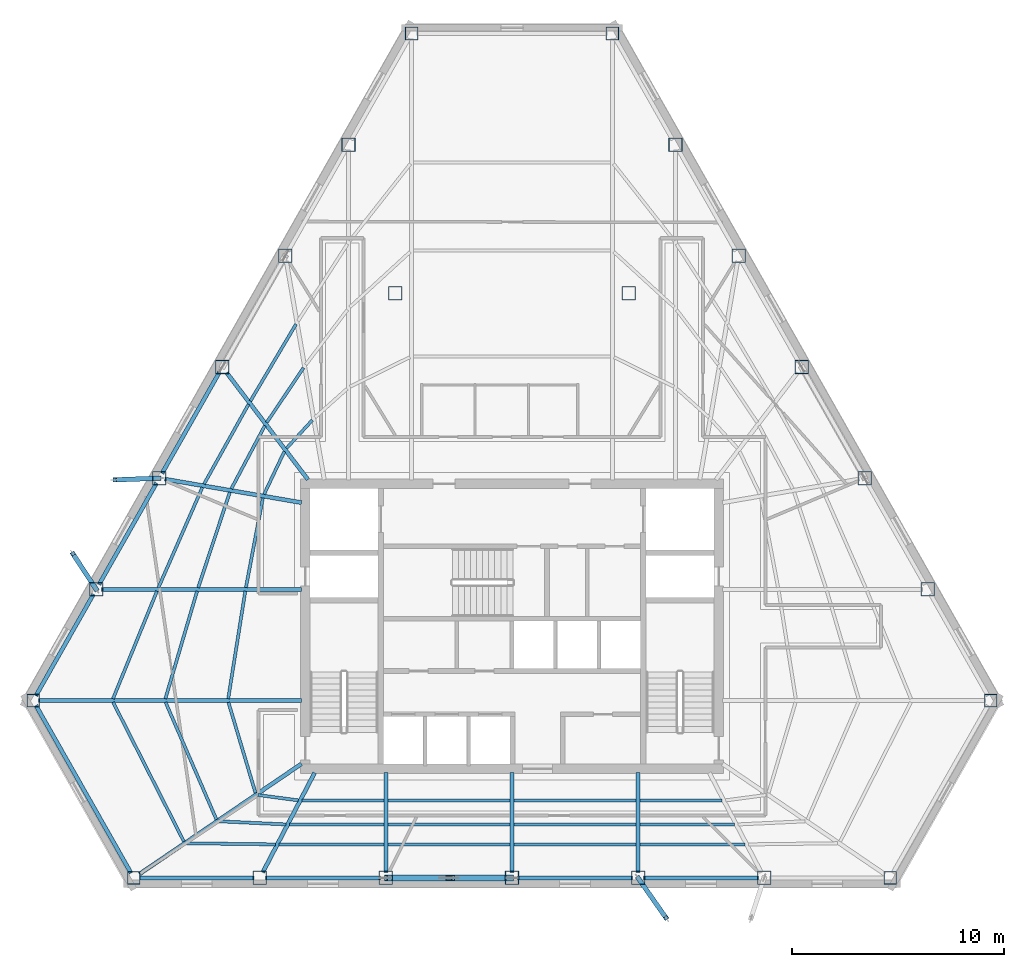
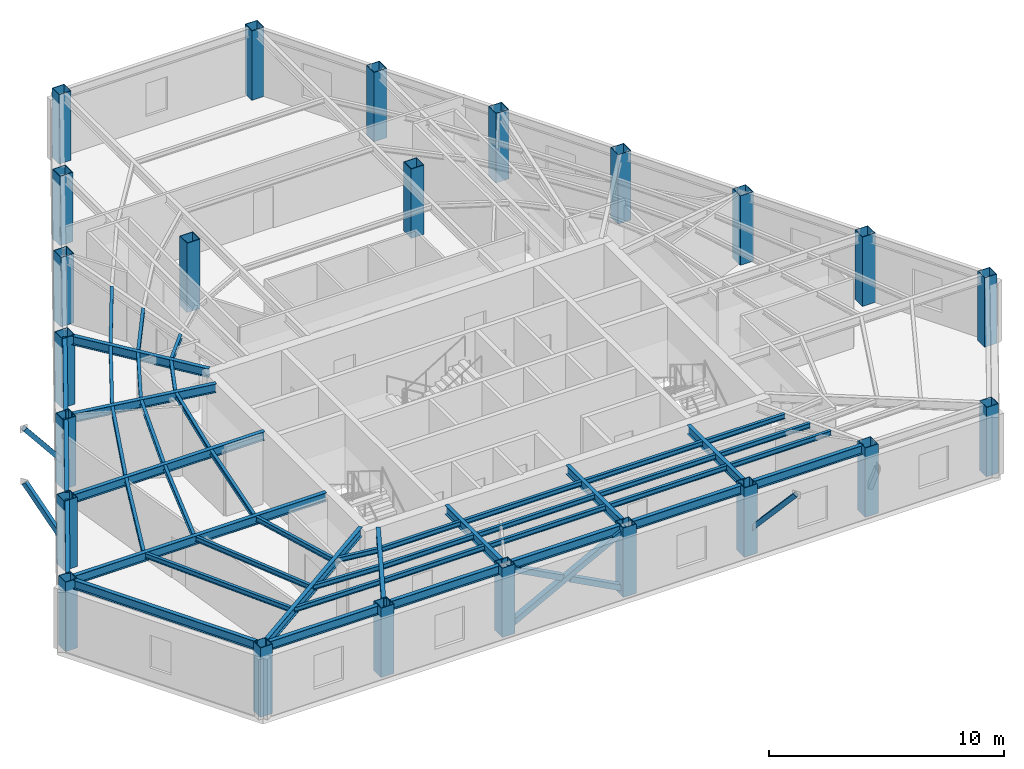
# One storey, part 1 of 11: 48 beams, 23 columns, 6 members.
"""IFC4 building model written with IfcOpenShell, lengths in metres."""

from ifc_helpers import new_model, si_unit, direction, frame, origin, origin_2d, place, context, subcontext, project, spatial, hollow_rectangle, i_section, extrude, material, material_profile, profile_set, type_object, element, save


model = new_model("IFC4")

# Units and contexts
model_context = context("Model", 3, precision=1e-05, world=origin(), true_north=direction((0.0, 1.0)))
body_context = subcontext(model_context, "Body", "Model", "MODEL_VIEW")
ifc_project = project(units=[si_unit("LENGTHUNIT", "METRE"), si_unit("AREAUNIT", "SQUARE_METRE"), si_unit("VOLUMEUNIT", "CUBIC_METRE"), si_unit("PLANEANGLEUNIT", "RADIAN"), si_unit("MASSUNIT", "GRAM", prefix="KILO")], contexts=[model_context])

# Site, building, storey
site_placement = place(None, origin())
site = spatial("IfcSite", under=ifc_project, at=site_placement, CompositionType="ELEMENT")
building_placement = place(site_placement, origin())
building = spatial("IfcBuilding", under=site, at=building_placement, Name="Kavelnor Concourse Tower", CompositionType="ELEMENT")
storey_placement = place(building_placement, frame((0.0, 0.0, 165.0)))
storey = spatial("IfcBuildingStorey", under=building, at=storey_placement, Name="L41", CompositionType="ELEMENT", Elevation=165.0)

# Columns
ifc_material = material(Name="Steel Grade 350", Category="steel")
ifc_material_profile_1 = material_profile(ifc_material, hollow_rectangle(XDim=0.60009765625, YDim=0.60009765625, WallThickness=0.028076171875, at=origin_2d()), Name="SHS 600x600x28")
ifc_profile_set_1 = profile_set([ifc_material_profile_1], Name="Steel Grade 350")
column_type_1 = type_object("IfcColumnType", Name="COL-FOLD-Z3", PredefinedType="COLUMN", material=ifc_profile_set_1)
for number, where, z_axis, x_axis, name in (
    (1, (33.264892578125, 44.034912109375, 0.0), (0.0, 0.0, 1.0), (1.0, 0.0, 0.0), "L41 Perimeter Corner-Fold Column F0-B0"),
    (2, (15.431884765625, 12.5966796875, 0.0), (0.0, 0.0, 1.0), (1.0, 0.0, 0.0), "L41 Perimeter Corner-Fold Column F0-B6"),
    (3, (20.174072265625, 4.236572265625, 0.0), (0.0, 0.0, 1.0), (1.0, 0.0, 0.0), "L41 Perimeter Corner-Fold Column F1-B0"),
    (4, (55.825927734375, 4.236572265625, 0.0), (0.0, 0.0, 1.0), (1.0, 0.0, 0.0), "L41 Perimeter Corner-Fold Column F1-B6"),
    (5, (60.568115234375, 12.5966796875, 0.0), (0.0, 0.0, 1.0), (1.0, 0.0, 0.0), "L41 Perimeter Corner-Fold Column F2-B0"),
    (6, (42.735107421875, 44.034912109375, 0.0), (0.0, 0.0, 1.0), (1.0, 0.0, 0.0), "L41 Perimeter Corner-Fold Column F2-B6"),
):
    element("IfcColumn", number, at=place(storey_placement, frame(where, z_axis=z_axis, x_axis=x_axis)), inside=storey, type_object=column_type_1, Name=name, PredefinedType="COLUMN", context=body_context, shape_type="SweptSolid", body=[
        extrude(hollow_rectangle(XDim=0.60009765625, YDim=0.60009765625, WallThickness=0.028076171875, at=origin_2d()), origin(), (0.0, 0.0, 1.0), 3.60009765625),
    ])
ifc_material_profile_2 = material_profile(ifc_material, hollow_rectangle(XDim=0.639892578125, YDim=0.639892578125, WallThickness=0.028076171875, at=origin_2d()), Name="SHS 640x640x28")
ifc_profile_set_2 = profile_set([ifc_material_profile_2], Name="Steel Grade 350")
column_type_2 = type_object("IfcColumnType", Name="COL-TUBE-Z3", PredefinedType="COLUMN", material=ifc_profile_set_2)
for number, where, z_axis, x_axis, name in (
    (7, (30.292724609375, 38.79541015625, 0.0), (0.0, 0.0, 1.0), (1.0, 0.0, 0.0), "L41 Perimeter Framed-Tube Column F0-B1"),
    (8, (27.320556640625, 33.5556640625, 0.0), (0.0, 0.0, 1.0), (1.0, 0.0, 0.0), "L41 Perimeter Framed-Tube Column F0-B2"),
    (9, (24.348388671875, 28.31591796875, 0.0), (0.0, 0.0, 1.0), (1.0, 0.0, 0.0), "L41 Perimeter Framed-Tube Column F0-B3"),
    (10, (21.376220703125, 23.076171875, 0.0), (0.0, 0.0, 1.0), (1.0, 0.0, 0.0), "L41 Perimeter Framed-Tube Column F0-B4"),
    (11, (18.404052734375, 17.83642578125, 0.0), (0.0, 0.0, 1.0), (1.0, 0.0, 0.0), "L41 Perimeter Framed-Tube Column F0-B5"),
    (12, (26.1162109375, 4.236572265625, 0.0), (0.0, 0.0, 1.0), (1.0, 0.0, 0.0), "L41 Perimeter Framed-Tube Column F1-B1"),
    (13, (32.05810546875, 4.236572265625, 0.0), (0.0, 0.0, 1.0), (1.0, 0.0, 0.0), "L41 Perimeter Framed-Tube Column F1-B2"),
    (14, (38.0, 4.236572265625, 0.0), (0.0, 0.0, 1.0), (1.0, 0.0, 0.0), "L41 Perimeter Framed-Tube Column F1-B3"),
    (15, (43.94189453125, 4.236572265625, 0.0), (0.0, 0.0, 1.0), (1.0, 0.0, 0.0), "L41 Perimeter Framed-Tube Column F1-B4"),
    (16, (49.8837890625, 4.236572265625, 0.0), (0.0, 0.0, 1.0), (1.0, 0.0, 0.0), "L41 Perimeter Framed-Tube Column F1-B5"),
    (17, (57.595947265625, 17.83642578125, 0.0), (0.0, 0.0, 1.0), (1.0, 0.0, 0.0), "L41 Perimeter Framed-Tube Column F2-B1"),
    (18, (54.623779296875, 23.076171875, 0.0), (0.0, 0.0, 1.0), (1.0, 0.0, 0.0), "L41 Perimeter Framed-Tube Column F2-B2"),
    (19, (51.651611328125, 28.31591796875, 0.0), (0.0, 0.0, 1.0), (1.0, 0.0, 0.0), "L41 Perimeter Framed-Tube Column F2-B3"),
    (20, (48.679443359375, 33.5556640625, 0.0), (0.0, 0.0, 1.0), (1.0, 0.0, 0.0), "L41 Perimeter Framed-Tube Column F2-B4"),
    (21, (45.707275390625, 38.79541015625, 0.0), (0.0, 0.0, 1.0), (1.0, 0.0, 0.0), "L41 Perimeter Framed-Tube Column F2-B5"),
    (22, (32.5, 31.800048828125, 0.0), (0.0, 0.0, 1.0), (1.0, 0.0, 0.0), "L41 North Interior Gravity Column BC-NW"),
    (23, (43.5, 31.800048828125, 0.0), (0.0, 0.0, 1.0), (1.0, 0.0, 0.0), "L41 North Interior Gravity Column BC-NE"),
):
    element("IfcColumn", number, at=place(storey_placement, frame(where, z_axis=z_axis, x_axis=x_axis)), inside=storey, type_object=column_type_2, Name=name, PredefinedType="COLUMN", context=body_context, shape_type="SweptSolid", body=[
        extrude(hollow_rectangle(XDim=0.639892578125, YDim=0.639892578125, WallThickness=0.028076171875, at=origin_2d()), origin(), (0.0, 0.0, 1.0), 3.60009765625),
    ])

# Beams
ifc_material_profile_3 = material_profile(ifc_material, i_section(OverallWidth=0.14599609375, OverallDepth=0.256103515625, WebThickness=0.00634765625, FlangeThickness=0.010986328125, at=origin_2d()), Name="250UB37")
ifc_profile_set_3 = profile_set([ifc_material_profile_3], Name="Steel Grade 350")
beam_type_1 = type_object("IfcBeamType", Name="BM-JOIST-250", PredefinedType="JOIST", material=ifc_profile_set_3)
beam_1_placement = place(storey_placement, frame((24.63671875, 12.511474609375, 3.471923828125), z_axis=(0.285934895929, -0.95824904659, 0.0), x_axis=(0.95824904659, 0.285934895929, 0.0)))
element("IfcBeam", 24, at=beam_1_placement, inside=storey, type_object=beam_type_1, Name="L41 Secondary Composite Joist 01-1", PredefinedType="JOIST", context=body_context, shape_type="SweptSolid", body=[
    extrude(i_section(OverallWidth=0.14599609375, OverallDepth=0.256103515625, WebThickness=0.00634765625, FlangeThickness=0.010986328125, at=origin_2d()), origin(), (0.0, 0.0, 1.0), 4.455322265625),
])
beam_2_placement = place(storey_placement, frame((21.673583984375, 12.514892578125, 3.471923828125), z_axis=(0.397934059699, -0.917414020021, 0.0), x_axis=(0.917414020021, 0.397934059699, 0.0)))
element("IfcBeam", 25, at=beam_2_placement, inside=storey, type_object=beam_type_1, Name="L41 Secondary Composite Joist 01-2", PredefinedType="JOIST", context=body_context, shape_type="SweptSolid", body=[
    extrude(i_section(OverallWidth=0.14599609375, OverallDepth=0.256103515625, WebThickness=0.00634765625, FlangeThickness=0.010986328125, at=origin_2d()), origin(), (0.0, 0.0, 1.0), 6.019775390625),
])
beam_3_placement = place(storey_placement, frame((19.20068359375, 12.517333984375, 3.471923828125), z_axis=(0.453064531661, -0.891477722745, 0.0), x_axis=(0.891477722745, 0.453064531661, 0.0)))
element("IfcBeam", 26, at=beam_3_placement, inside=storey, type_object=beam_type_1, Name="L41 Secondary Composite Joist 01-3", PredefinedType="JOIST", context=body_context, shape_type="SweptSolid", body=[
    extrude(i_section(OverallWidth=0.14599609375, OverallDepth=0.256103515625, WebThickness=0.00634765625, FlangeThickness=0.010986328125, at=origin_2d()), origin(), (0.0, 0.0, 1.0), 7.365234375),
])
beam_4_placement = place(storey_placement, frame((26.0244140625, 8.14501953125, 3.471923828125), z_axis=(0.991312131722, -0.131530443244, 0.0), x_axis=(0.131530443244, 0.991312131722, 0.0)))
element("IfcBeam", 27, at=beam_4_placement, inside=storey, type_object=beam_type_1, Name="L41 Secondary Composite Joist 02-1", PredefinedType="JOIST", context=body_context, shape_type="SweptSolid", body=[
    extrude(i_section(OverallWidth=0.14599609375, OverallDepth=0.256103515625, WebThickness=0.00634765625, FlangeThickness=0.010986328125, at=origin_2d()), origin(), (0.0, 0.0, 1.0), 1.919189453125),
])
beam_5_placement = place(storey_placement, frame((24.193359375, 6.906494140625, 3.471923828125), z_axis=(0.998895853612, -0.046979502312, 0.0), x_axis=(0.046979502312, 0.998895853612, 0.0)))
element("IfcBeam", 28, at=beam_5_placement, inside=storey, type_object=beam_type_1, Name="L41 Secondary Composite Joist 02-2", PredefinedType="JOIST", context=body_context, shape_type="SweptSolid", body=[
    extrude(i_section(OverallWidth=0.14599609375, OverallDepth=0.256103515625, WebThickness=0.00634765625, FlangeThickness=0.010986328125, at=origin_2d()), origin(), (0.0, 0.0, 1.0), 3.149169921875),
])
beam_6_placement = place(storey_placement, frame((22.6669921875, 5.870849609375, 3.471923828125), z_axis=(0.999916062807, -0.012956362922, 0.0), x_axis=(0.012956362922, 0.999916062807, 0.0)))
element("IfcBeam", 29, at=beam_6_placement, inside=storey, type_object=beam_type_1, Name="L41 Secondary Composite Joist 02-3", PredefinedType="JOIST", context=body_context, shape_type="SweptSolid", body=[
    extrude(i_section(OverallWidth=0.14599609375, OverallDepth=0.256103515625, WebThickness=0.00634765625, FlangeThickness=0.010986328125, at=origin_2d()), origin(), (0.0, 0.0, 1.0), 4.18310546875),
])
beam_7_placement = place(storey_placement, frame((28.104248046875, 7.881103515625, 3.471923828125), z_axis=(0.999999872301, 0.000505369487, 0.0), x_axis=(-0.000505369487, 0.999999872301, 0.0)))
element("IfcBeam", 30, at=beam_7_placement, inside=storey, type_object=beam_type_1, Name="L41 Secondary Composite Joist 03-1", PredefinedType="JOIST", context=body_context, shape_type="SweptSolid", body=[
    extrude(i_section(OverallWidth=0.14599609375, OverallDepth=0.256103515625, WebThickness=0.00634765625, FlangeThickness=0.010986328125, at=origin_2d()), origin(), (0.0, 0.0, 1.0), 3.86474609375),
])
beam_8_placement = place(storey_placement, frame((27.51708984375, 6.75439453125, 3.471923828125), z_axis=(0.999999998496, -5.4839594e-05, 0.0), x_axis=(5.4839594e-05, 0.999999998496, 0.0)))
element("IfcBeam", 31, at=beam_8_placement, inside=storey, type_object=beam_type_1, Name="L41 Secondary Composite Joist 03-2", PredefinedType="JOIST", context=body_context, shape_type="SweptSolid", body=[
    extrude(i_section(OverallWidth=0.14599609375, OverallDepth=0.256103515625, WebThickness=0.00634765625, FlangeThickness=0.010986328125, at=origin_2d()), origin(), (0.0, 0.0, 1.0), 4.451904296875),
])
beam_9_placement = place(storey_placement, frame((27.02783203125, 5.8154296875, 3.471923828125), z_axis=(0.999999921878, -0.000395276416, 0.0), x_axis=(0.000395276416, 0.999999921878, 0.0)))
element("IfcBeam", 32, at=beam_9_placement, inside=storey, type_object=beam_type_1, Name="L41 Secondary Composite Joist 03-3", PredefinedType="JOIST", context=body_context, shape_type="SweptSolid", body=[
    extrude(i_section(OverallWidth=0.14599609375, OverallDepth=0.256103515625, WebThickness=0.00634765625, FlangeThickness=0.010986328125, at=origin_2d()), origin(), (0.0, 0.0, 1.0), 4.941162109375),
])
for number, where, z_axis, x_axis, name in (
    (33, (32.14697265625, 7.883056640625, 3.471923828125), (1.0, 0.0, 0.0), (0.0, 1.0, 0.0), "L41 Secondary Composite Joist 04-1"),
    (34, (32.14697265625, 6.754150390625, 3.471923828125), (1.0, 0.0, 0.0), (0.0, 1.0, 0.0), "L41 Secondary Composite Joist 04-2"),
    (35, (32.14697265625, 5.8134765625, 3.471923828125), (1.0, 0.0, 0.0), (0.0, 1.0, 0.0), "L41 Secondary Composite Joist 04-3"),
    (36, (38.089111328125, 7.883056640625, 3.471923828125), (1.0, 0.0, 0.0), (0.0, 1.0, 0.0), "L41 Secondary Composite Joist 05-1"),
    (37, (38.089111328125, 6.754150390625, 3.471923828125), (1.0, 0.0, 0.0), (0.0, 1.0, 0.0), "L41 Secondary Composite Joist 05-2"),
    (38, (38.089111328125, 5.8134765625, 3.471923828125), (1.0, 0.0, 0.0), (0.0, 1.0, 0.0), "L41 Secondary Composite Joist 05-3"),
):
    element("IfcBeam", number, at=place(storey_placement, frame(where, z_axis=z_axis, x_axis=x_axis)), inside=storey, type_object=beam_type_1, Name=name, PredefinedType="JOIST", context=body_context, shape_type="SweptSolid", body=[
        extrude(i_section(OverallWidth=0.14599609375, OverallDepth=0.256103515625, WebThickness=0.00634765625, FlangeThickness=0.010986328125, at=origin_2d()), origin(), (0.0, 0.0, 1.0), 5.763916015625),
    ])
beam_10_placement = place(storey_placement, frame((44.031005859375, 7.883056640625, 3.471923828125), z_axis=(0.999999872301, -0.000505369487, 0.0), x_axis=(0.000505369487, 0.999999872301, 0.0)))
element("IfcBeam", 39, at=beam_10_placement, inside=storey, type_object=beam_type_1, Name="L41 Secondary Composite Joist 06-1", PredefinedType="JOIST", context=body_context, shape_type="SweptSolid", body=[
    extrude(i_section(OverallWidth=0.14599609375, OverallDepth=0.256103515625, WebThickness=0.00634765625, FlangeThickness=0.010986328125, at=origin_2d()), origin(), (0.0, 0.0, 1.0), 3.86474609375),
])
beam_11_placement = place(storey_placement, frame((44.031005859375, 6.754150390625, 3.471923828125), z_axis=(0.999999998496, 5.4839594e-05, 0.0), x_axis=(-5.4839594e-05, 0.999999998496, 0.0)))
element("IfcBeam", 40, at=beam_11_placement, inside=storey, type_object=beam_type_1, Name="L41 Secondary Composite Joist 06-2", PredefinedType="JOIST", context=body_context, shape_type="SweptSolid", body=[
    extrude(i_section(OverallWidth=0.14599609375, OverallDepth=0.256103515625, WebThickness=0.00634765625, FlangeThickness=0.010986328125, at=origin_2d()), origin(), (0.0, 0.0, 1.0), 4.451904296875),
])
beam_12_placement = place(storey_placement, frame((44.031005859375, 5.8134765625, 3.471923828125), z_axis=(0.999999921878, 0.000395276416, 0.0), x_axis=(-0.000395276416, 0.999999921878, 0.0)))
element("IfcBeam", 41, at=beam_12_placement, inside=storey, type_object=beam_type_1, Name="L41 Secondary Composite Joist 06-3", PredefinedType="JOIST", context=body_context, shape_type="SweptSolid", body=[
    extrude(i_section(OverallWidth=0.14599609375, OverallDepth=0.256103515625, WebThickness=0.00634765625, FlangeThickness=0.010986328125, at=origin_2d()), origin(), (0.0, 0.0, 1.0), 4.941162109375),
])
beam_13_placement = place(storey_placement, frame((28.59326171875, 25.8173828125, 3.471923828125), z_axis=(-0.675638992286, -0.737232630927, 0.0), x_axis=(0.737232630927, -0.675638992286, 0.0)))
element("IfcBeam", 42, at=beam_13_placement, inside=storey, type_object=beam_type_1, Name="L41 Secondary Composite Joist 18-1", PredefinedType="JOIST", context=body_context, shape_type="SweptSolid", body=[
    extrude(i_section(OverallWidth=0.14599609375, OverallDepth=0.256103515625, WebThickness=0.00634765625, FlangeThickness=0.010986328125, at=origin_2d()), origin(), (0.0, 0.0, 1.0), 1.807373046875),
])
beam_14_placement = place(storey_placement, frame((28.174560546875, 28.27978515625, 3.471923828125), z_axis=(-0.557961189632, -0.829867044089, 0.0), x_axis=(0.829867044089, -0.557961189632, 0.0)))
element("IfcBeam", 43, at=beam_14_placement, inside=storey, type_object=beam_type_1, Name="L41 Secondary Composite Joist 18-2", PredefinedType="JOIST", context=body_context, shape_type="SweptSolid", body=[
    extrude(i_section(OverallWidth=0.14599609375, OverallDepth=0.256103515625, WebThickness=0.00634765625, FlangeThickness=0.010986328125, at=origin_2d()), origin(), (0.0, 0.0, 1.0), 3.105712890625),
])
beam_15_placement = place(storey_placement, frame((27.8212890625, 30.3359375, 3.471923828125), z_axis=(-0.510424941442, -0.859922309952, 0.0), x_axis=(0.859922309952, -0.510424941442, 0.0)))
element("IfcBeam", 44, at=beam_15_placement, inside=storey, type_object=beam_type_1, Name="L41 Secondary Composite Joist 18-3", PredefinedType="JOIST", context=body_context, shape_type="SweptSolid", body=[
    extrude(i_section(OverallWidth=0.14599609375, OverallDepth=0.256103515625, WebThickness=0.00634765625, FlangeThickness=0.010986328125, at=origin_2d()), origin(), (0.0, 0.0, 1.0), 4.212890625),
])
beam_16_placement = place(storey_placement, frame((27.273681640625, 24.3388671875, 3.471923828125), z_axis=(-0.428418856414, -0.903580258455, 0.0), x_axis=(0.903580258455, -0.428418856414, 0.0)))
element("IfcBeam", 45, at=beam_16_placement, inside=storey, type_object=beam_type_1, Name="L41 Secondary Composite Joist 19-1", PredefinedType="JOIST", context=body_context, shape_type="SweptSolid", body=[
    extrude(i_section(OverallWidth=0.14599609375, OverallDepth=0.256103515625, WebThickness=0.00634765625, FlangeThickness=0.010986328125, at=origin_2d()), origin(), (0.0, 0.0, 1.0), 2.24072265625),
])
beam_17_placement = place(storey_placement, frame((26.350341796875, 25.550048828125, 3.471923828125), z_axis=(-0.469273675568, -0.883052782918, 0.0), x_axis=(0.883052782918, -0.469273675568, 0.0)))
element("IfcBeam", 46, at=beam_17_placement, inside=storey, type_object=beam_type_1, Name="L41 Secondary Composite Joist 19-2", PredefinedType="JOIST", context=body_context, shape_type="SweptSolid", body=[
    extrude(i_section(OverallWidth=0.14599609375, OverallDepth=0.256103515625, WebThickness=0.00634765625, FlangeThickness=0.010986328125, at=origin_2d()), origin(), (0.0, 0.0, 1.0), 3.365478515625),
])
beam_18_placement = place(storey_placement, frame((25.58203125, 26.558837890625, 3.471923828125), z_axis=(-0.487240474477, -0.873267839802, 0.0), x_axis=(0.873267839802, -0.487240474477, 0.0)))
element("IfcBeam", 47, at=beam_18_placement, inside=storey, type_object=beam_type_1, Name="L41 Secondary Composite Joist 19-3", PredefinedType="JOIST", context=body_context, shape_type="SweptSolid", body=[
    extrude(i_section(OverallWidth=0.14599609375, OverallDepth=0.256103515625, WebThickness=0.00634765625, FlangeThickness=0.010986328125, at=origin_2d()), origin(), (0.0, 0.0, 1.0), 4.3056640625),
])
beam_19_placement = place(storey_placement, frame((26.2587890625, 22.146240234375, 3.471923828125), z_axis=(-0.185835335583, -0.982580901529, 0.0), x_axis=(0.982580901529, -0.185835335583, 0.0)))
element("IfcBeam", 48, at=beam_19_placement, inside=storey, type_object=beam_type_1, Name="L41 Secondary Composite Joist 20-1", PredefinedType="JOIST", context=body_context, shape_type="SweptSolid", body=[
    extrude(i_section(OverallWidth=0.14599609375, OverallDepth=0.256103515625, WebThickness=0.00634765625, FlangeThickness=0.010986328125, at=origin_2d()), origin(), (0.0, 0.0, 1.0), 4.29736328125),
])
beam_20_placement = place(storey_placement, frame((24.701171875, 22.4150390625, 3.471923828125), z_axis=(-0.314602979618, -0.949223348436, 0.0), x_axis=(0.949223348436, -0.314602979618, 0.0)))
element("IfcBeam", 49, at=beam_20_placement, inside=storey, type_object=beam_type_1, Name="L41 Secondary Composite Joist 20-2", PredefinedType="JOIST", context=body_context, shape_type="SweptSolid", body=[
    extrude(i_section(OverallWidth=0.14599609375, OverallDepth=0.256103515625, WebThickness=0.00634765625, FlangeThickness=0.010986328125, at=origin_2d()), origin(), (0.0, 0.0, 1.0), 4.734619140625),
])
beam_21_placement = place(storey_placement, frame((23.405029296875, 22.6396484375, 3.471923828125), z_axis=(-0.401325598485, -0.915935458425, 0.0), x_axis=(0.915935458425, -0.401325598485, 0.0)))
element("IfcBeam", 50, at=beam_21_placement, inside=storey, type_object=beam_type_1, Name="L41 Secondary Composite Joist 20-3", PredefinedType="JOIST", context=body_context, shape_type="SweptSolid", body=[
    extrude(i_section(OverallWidth=0.14599609375, OverallDepth=0.256103515625, WebThickness=0.00634765625, FlangeThickness=0.010986328125, at=origin_2d()), origin(), (0.0, 0.0, 1.0), 5.155029296875),
])
beam_22_placement = place(storey_placement, frame((25.4296875, 17.74853515625, 3.471923828125), z_axis=(-0.156889182444, -0.987616213127, 0.0), x_axis=(0.987616213127, -0.156889182444, 0.0)))
element("IfcBeam", 51, at=beam_22_placement, inside=storey, type_object=beam_type_1, Name="L41 Secondary Composite Joist 21-1", PredefinedType="JOIST", context=body_context, shape_type="SweptSolid", body=[
    extrude(i_section(OverallWidth=0.14599609375, OverallDepth=0.256103515625, WebThickness=0.00634765625, FlangeThickness=0.010986328125, at=origin_2d()), origin(), (0.0, 0.0, 1.0), 5.12744140625),
])
beam_23_placement = place(storey_placement, frame((23.158447265625, 17.7509765625, 3.471923828125), z_axis=(-0.28291157307, -0.959145996094, 0.0), x_axis=(0.959145996094, -0.28291157307, 0.0)))
element("IfcBeam", 52, at=beam_23_placement, inside=storey, type_object=beam_type_1, Name="L41 Secondary Composite Joist 21-2", PredefinedType="JOIST", context=body_context, shape_type="SweptSolid", body=[
    extrude(i_section(OverallWidth=0.14599609375, OverallDepth=0.256103515625, WebThickness=0.00634765625, FlangeThickness=0.010986328125, at=origin_2d()), origin(), (0.0, 0.0, 1.0), 5.28466796875),
])
beam_24_placement = place(storey_placement, frame((21.266845703125, 17.75390625, 3.471923828125), z_axis=(-0.378122933026, -0.925755392919, 0.0), x_axis=(0.925755392919, -0.378122933026, 0.0)))
element("IfcBeam", 53, at=beam_24_placement, inside=storey, type_object=beam_type_1, Name="L41 Secondary Composite Joist 21-3", PredefinedType="JOIST", context=body_context, shape_type="SweptSolid", body=[
    extrude(i_section(OverallWidth=0.14599609375, OverallDepth=0.256103515625, WebThickness=0.00634765625, FlangeThickness=0.010986328125, at=origin_2d()), origin(), (0.0, 0.0, 1.0), 5.481689453125),
])
ifc_material_profile_4 = material_profile(ifc_material, i_section(OverallWidth=0.18994140625, OverallDepth=0.4541015625, WebThickness=0.008544921875, FlangeThickness=0.0126953125, at=origin_2d()), Name="460UB67")
ifc_profile_set_4 = profile_set([ifc_material_profile_4], Name="Steel Grade 350")
beam_type_2 = type_object("IfcBeamType", Name="BM-PRIMARY-460", PredefinedType="BEAM", material=ifc_profile_set_4)
beam_25_placement = place(storey_placement, frame((28.385009765625, 23.00830078125, 3.373046875), z_axis=(-0.605372632271, 0.795942193942, 0.0), x_axis=(-0.795942193942, -0.605372632271, 0.0)))
element("IfcBeam", 54, at=beam_25_placement, inside=storey, type_object=beam_type_2, Name="L41 Primary Floor Girder F0-B3", PredefinedType="BEAM", context=body_context, shape_type="SweptSolid", body=[
    extrude(i_section(OverallWidth=0.18994140625, OverallDepth=0.4541015625, WebThickness=0.008544921875, FlangeThickness=0.0126953125, at=origin_2d()), origin(), (0.0, 0.0, 1.0), 6.331298828125),
])
beam_26_placement = place(storey_placement, frame((28.079345703125, 21.923583984375, 3.373046875), z_axis=(-0.985540219241, 0.169441660339, 0.0), x_axis=(-0.169441660339, -0.985540219241, 0.0)))
element("IfcBeam", 55, at=beam_26_placement, inside=storey, type_object=beam_type_2, Name="L41 Primary Floor Girder F0-B4", PredefinedType="BEAM", context=body_context, shape_type="SweptSolid", body=[
    extrude(i_section(OverallWidth=0.18994140625, OverallDepth=0.4541015625, WebThickness=0.008544921875, FlangeThickness=0.0126953125, at=origin_2d()), origin(), (0.0, 0.0, 1.0), 6.537109375),
])
beam_27_placement = place(storey_placement, frame((28.080078125, 17.83642578125, 3.373046875), z_axis=(-1.0, 0.0, 0.0), x_axis=(0.0, -1.0, 0.0)))
element("IfcBeam", 56, at=beam_27_placement, inside=storey, type_object=beam_type_2, Name="L41 Primary Floor Girder F0-B5", PredefinedType="BEAM", context=body_context, shape_type="SweptSolid", body=[
    extrude(i_section(OverallWidth=0.18994140625, OverallDepth=0.4541015625, WebThickness=0.008544921875, FlangeThickness=0.0126953125, at=origin_2d()), origin(), (0.0, 0.0, 1.0), 9.416015625),
])
beam_28_placement = place(storey_placement, frame((28.080078125, 12.5966796875, 3.373046875), z_axis=(-1.0, 0.0, 0.0), x_axis=(0.0, -1.0, 0.0)))
element("IfcBeam", 57, at=beam_28_placement, inside=storey, type_object=beam_type_2, Name="L41 Primary Floor Girder F0-B6", PredefinedType="BEAM", context=body_context, shape_type="SweptSolid", body=[
    extrude(i_section(OverallWidth=0.18994140625, OverallDepth=0.4541015625, WebThickness=0.008544921875, FlangeThickness=0.0126953125, at=origin_2d()), origin(), (0.0, 0.0, 1.0), 12.38818359375),
])
beam_29_placement = place(storey_placement, frame((28.072998046875, 9.61083984375, 3.373046875), z_axis=(-0.826784803561, -0.562518345124, 0.0), x_axis=(0.562518345124, -0.826784803561, 0.0)))
element("IfcBeam", 58, at=beam_29_placement, inside=storey, type_object=beam_type_2, Name="L41 Primary Floor Girder F1-B0", PredefinedType="BEAM", context=body_context, shape_type="SweptSolid", body=[
    extrude(i_section(OverallWidth=0.18994140625, OverallDepth=0.4541015625, WebThickness=0.008544921875, FlangeThickness=0.0126953125, at=origin_2d()), origin(), (0.0, 0.0, 1.0), 9.23095703125),
])
beam_30_placement = place(storey_placement, frame((28.7001953125, 9.195556640625, 3.373046875), z_axis=(-0.462112020334, -0.886821560779, 0.0), x_axis=(0.886821560779, -0.462112020334, 0.0)))
element("IfcBeam", 59, at=beam_30_placement, inside=storey, type_object=beam_type_2, Name="L41 Primary Floor Girder F1-B1", PredefinedType="BEAM", context=body_context, shape_type="SweptSolid", body=[
    extrude(i_section(OverallWidth=0.18994140625, OverallDepth=0.4541015625, WebThickness=0.008544921875, FlangeThickness=0.0126953125, at=origin_2d()), origin(), (0.0, 0.0, 1.0), 5.293701171875),
])
for number, where, z_axis, x_axis, name in (
    (60, (32.05810546875, 9.199951171875, 3.373046875), (0.0, -1.0, 0.0), (1.0, 0.0, 0.0), "L41 Primary Floor Girder F1-B2"),
    (61, (38.0, 9.199951171875, 3.373046875), (0.0, -1.0, 0.0), (1.0, 0.0, 0.0), "L41 Primary Floor Girder F1-B3"),
    (62, (43.94189453125, 9.199951171875, 3.373046875), (0.0, -1.0, 0.0), (1.0, 0.0, 0.0), "L41 Primary Floor Girder F1-B4"),
):
    element("IfcBeam", number, at=place(storey_placement, frame(where, z_axis=z_axis, x_axis=x_axis)), inside=storey, type_object=beam_type_2, Name=name, PredefinedType="BEAM", context=body_context, shape_type="SweptSolid", body=[
        extrude(i_section(OverallWidth=0.18994140625, OverallDepth=0.4541015625, WebThickness=0.008544921875, FlangeThickness=0.0126953125, at=origin_2d()), origin(), (0.0, 0.0, 1.0), 4.703369140625),
    ])
ifc_material_profile_5 = material_profile(ifc_material, i_section(OverallWidth=0.19091796875, OverallDepth=0.4599609375, WebThickness=0.010009765625, FlangeThickness=0.01611328125, at=origin_2d()), Name="460UB82")
ifc_profile_set_5 = profile_set([ifc_material_profile_5], Name="Steel Grade 350")
beam_type_3 = type_object("IfcBeamType", Name="BM-SPANDREL-Z3", PredefinedType="SPANDREL", material=ifc_profile_set_5)
beam_31_placement = place(storey_placement, frame((24.2177734375, 28.085205078125, 3.3701171875), z_axis=(-0.493437456752, -0.86978128071, 0.0), x_axis=(0.86978128071, -0.493437456752, 0.0)))
element("IfcBeam", 63, at=beam_31_placement, inside=storey, type_object=beam_type_3, Name="L41 Perimeter Tube Spandrel Beam F0-B3", PredefinedType="SPANDREL", context=body_context, shape_type="SweptSolid", body=[
    extrude(i_section(OverallWidth=0.19091796875, OverallDepth=0.4599609375, WebThickness=0.010009765625, FlangeThickness=0.01611328125, at=origin_2d()), origin(), (0.0, 0.0, 1.0), 5.493896484375),
])
for number, where, z_axis, x_axis, name in (
    (64, (21.24560546875, 22.845703125, 3.3701171875), (-0.493418385432, -0.869792099825, 0.0), (0.869792099825, -0.493418385432, 0.0), "L41 Perimeter Tube Spandrel Beam F0-B4"),
    (65, (18.273193359375, 17.60595703125, 3.3701171875), (-0.49338476672, -0.869811170294, 0.0), (0.869811170294, -0.49338476672, 0.0), "L41 Perimeter Tube Spandrel Beam F0-B5"),
):
    element("IfcBeam", number, at=place(storey_placement, frame(where, z_axis=z_axis, x_axis=x_axis)), inside=storey, type_object=beam_type_3, Name=name, PredefinedType="SPANDREL", context=body_context, shape_type="SweptSolid", body=[
        extrude(i_section(OverallWidth=0.19091796875, OverallDepth=0.4599609375, WebThickness=0.010009765625, FlangeThickness=0.01611328125, at=origin_2d()), origin(), (0.0, 0.0, 1.0), 5.494140625),
    ])
for number, where, z_axis, x_axis, name in (
    (66, (20.439208984375, 4.236572265625, 3.3701171875), (1.0, 0.0, 0.0), (0.0, 1.0, 0.0), "L41 Perimeter Tube Spandrel Beam F1-B0"),
    (67, (26.381103515625, 4.236572265625, 3.3701171875), (1.0, 0.0, 0.0), (0.0, 1.0, 0.0), "L41 Perimeter Tube Spandrel Beam F1-B1"),
):
    element("IfcBeam", number, at=place(storey_placement, frame(where, z_axis=z_axis, x_axis=x_axis)), inside=storey, type_object=beam_type_3, Name=name, PredefinedType="SPANDREL", context=body_context, shape_type="SweptSolid", body=[
        extrude(i_section(OverallWidth=0.19091796875, OverallDepth=0.4599609375, WebThickness=0.010009765625, FlangeThickness=0.01611328125, at=origin_2d()), origin(), (0.0, 0.0, 1.0), 5.411865234375),
    ])
for number, where, z_axis, x_axis, name in (
    (68, (32.322998046875, 4.236572265625, 3.3701171875), (1.0, 0.0, 0.0), (0.0, 1.0, 0.0), "L41 Perimeter Tube Spandrel Beam F1-B2"),
    (69, (38.264892578125, 4.236572265625, 3.3701171875), (1.0, 0.0, 0.0), (0.0, 1.0, 0.0), "L41 Perimeter Tube Spandrel Beam F1-B3"),
):
    element("IfcBeam", number, at=place(storey_placement, frame(where, z_axis=z_axis, x_axis=x_axis)), inside=storey, type_object=beam_type_3, Name=name, PredefinedType="SPANDREL", context=body_context, shape_type="SweptSolid", body=[
        extrude(i_section(OverallWidth=0.19091796875, OverallDepth=0.4599609375, WebThickness=0.010009765625, FlangeThickness=0.01611328125, at=origin_2d()), origin(), (0.0, 0.0, 1.0), 5.412109375),
    ])
beam_32_placement = place(storey_placement, frame((44.20703125, 4.236572265625, 3.3701171875), z_axis=(1.0, 0.0, 0.0), x_axis=(0.0, 1.0, 0.0)))
element("IfcBeam", 70, at=beam_32_placement, inside=storey, type_object=beam_type_3, Name="L41 Perimeter Tube Spandrel Beam F1-B4", PredefinedType="SPANDREL", context=body_context, shape_type="SweptSolid", body=[
    extrude(i_section(OverallWidth=0.19091796875, OverallDepth=0.4599609375, WebThickness=0.010009765625, FlangeThickness=0.01611328125, at=origin_2d()), origin(), (0.0, 0.0, 1.0), 5.411865234375),
])
beam_33_placement = place(storey_placement, frame((15.5625, 12.3662109375, 3.3701171875), z_axis=(0.493409320911, -0.869797241912, 0.0), x_axis=(0.869797241912, 0.493409320911, 0.0)))
element("IfcBeam", 71, at=beam_33_placement, inside=storey, type_object=beam_type_3, Name="L41 Chamfer Facet Spandrel Beam C1", PredefinedType="SPANDREL", context=body_context, shape_type="SweptSolid", body=[
    extrude(i_section(OverallWidth=0.19091796875, OverallDepth=0.4599609375, WebThickness=0.010009765625, FlangeThickness=0.01611328125, at=origin_2d()), origin(), (0.0, 0.0, 1.0), 9.08154296875),
])

# Members
ifc_material_profile_6 = material_profile(ifc_material, hollow_rectangle(XDim=0.219970703125, YDim=0.219970703125, WallThickness=0.013916015625, at=origin_2d()), Name="SHS 220x220x14")
ifc_profile_set_6 = profile_set([ifc_material_profile_6], Name="Steel Grade 350")
member_type_1 = type_object("IfcMemberType", Name="MBR-BALC-STRUT-220", PredefinedType="STRUT", material=ifc_profile_set_6)
member_1_placement = place(storey_placement, frame((21.376220703125, 23.076171875, 1.050048828125), z_axis=(-0.627901080951, -0.023112475924, 0.777949899413), x_axis=(0.036784192375, -0.999323232589, 0.0)))
element("IfcMember", 72, at=member_1_placement, inside=storey, type_object=member_type_1, Name="L41 Tree Balcony Raking Knee Strut 1-A", PredefinedType="STRUT", context=body_context, shape_type="SweptSolid", body=[
    extrude(hollow_rectangle(XDim=0.219970703125, YDim=0.219970703125, WallThickness=0.013916015625, at=origin_2d()), origin(), (0.0, 0.0, 1.0), 3.3486328125),
])
member_2_placement = place(storey_placement, frame((18.404052734375, 17.83642578125, 1.050048828125), z_axis=(-0.334349037659, 0.510986265101, 0.791898830593), x_axis=(-0.836787575895, -0.547527673116, 0.0)))
element("IfcMember", 73, at=member_2_placement, inside=storey, type_object=member_type_1, Name="L41 Tree Balcony Raking Knee Strut 1-B", PredefinedType="STRUT", context=body_context, shape_type="SweptSolid", body=[
    extrude(hollow_rectangle(XDim=0.219970703125, YDim=0.219970703125, WallThickness=0.013916015625, at=origin_2d()), origin(), (0.0, 0.0, 1.0), 3.28955078125),
])
member_3_placement = place(storey_placement, frame((43.94189453125, 4.236572265625, 1.050048828125), z_axis=(0.380055096581, -0.542705199791, 0.749018817976), x_axis=(0.819117418796, 0.573625883503, 0.0)))
element("IfcMember", 74, at=member_3_placement, inside=storey, type_object=member_type_1, Name="L41 Tree Balcony Raking Knee Strut 2-A", PredefinedType="STRUT", context=body_context, shape_type="SweptSolid", body=[
    extrude(hollow_rectangle(XDim=0.219970703125, YDim=0.219970703125, WallThickness=0.013916015625, at=origin_2d()), origin(), (0.0, 0.0, 1.0), 3.477783203125),
])
ifc_material_profile_7 = material_profile(ifc_material, hollow_rectangle(XDim=0.280029296875, YDim=0.280029296875, WallThickness=0.01611328125, at=origin_2d()), Name="SHS 280x280x16")
ifc_profile_set_7 = profile_set([ifc_material_profile_7], Name="Steel Grade 350")
member_type_2 = type_object("IfcMemberType", Name="MBR-TUBE-DIAG-Z3", PredefinedType="BRACE", material=ifc_profile_set_7)
member_4_placement = place(storey_placement, frame((32.05810546875, 4.236572265625, 0.219970703125), z_axis=(0.883514913366, 0.0, 0.468403029302), x_axis=(0.0, 1.0, 0.0)))
element("IfcMember", 75, at=member_4_placement, inside=storey, type_object=member_type_2, Name="L41 Framed-Tube Bracing Diagonal F1-B2", PredefinedType="BRACE", context=body_context, shape_type="SweptSolid", body=[
    extrude(hollow_rectangle(XDim=0.280029296875, YDim=0.280029296875, WallThickness=0.01611328125, at=origin_2d()), origin(), (0.0, 0.0, 1.0), 6.725341796875),
])
member_5_placement = place(storey_placement, frame((38.0, 4.236572265625, 0.219970703125), z_axis=(-0.883530787042, 0.0, 0.468373086703), x_axis=(0.0, -1.0, 0.0)))
element("IfcMember", 76, at=member_5_placement, inside=storey, type_object=member_type_2, Name="L41 Framed-Tube X-Brace Lower Segment F1-B2", PredefinedType="BRACE", context=body_context, shape_type="SweptSolid", body=[
    extrude(hollow_rectangle(XDim=0.280029296875, YDim=0.280029296875, WallThickness=0.01611328125, at=origin_2d()), origin(), (0.0, 0.0, 1.0), 3.142578125),
])
member_6_placement = place(storey_placement, frame((34.834716796875, 4.236572265625, 1.89794921875), z_axis=(-0.883498637664, 0.0, 0.468433727699), x_axis=(0.0, -1.0, 0.0)))
element("IfcMember", 77, at=member_6_placement, inside=storey, type_object=member_type_2, Name="L41 Framed-Tube X-Brace Upper Segment F1-B2", PredefinedType="BRACE", context=body_context, shape_type="SweptSolid", body=[
    extrude(hollow_rectangle(XDim=0.280029296875, YDim=0.280029296875, WallThickness=0.01611328125, at=origin_2d()), origin(), (0.0, 0.0, 1.0), 3.142822265625),
])

save(model, "model.ifc")
